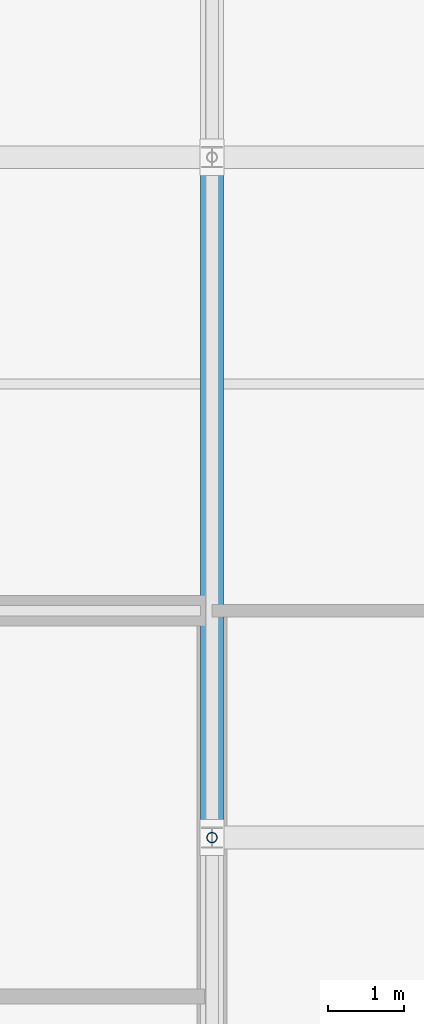
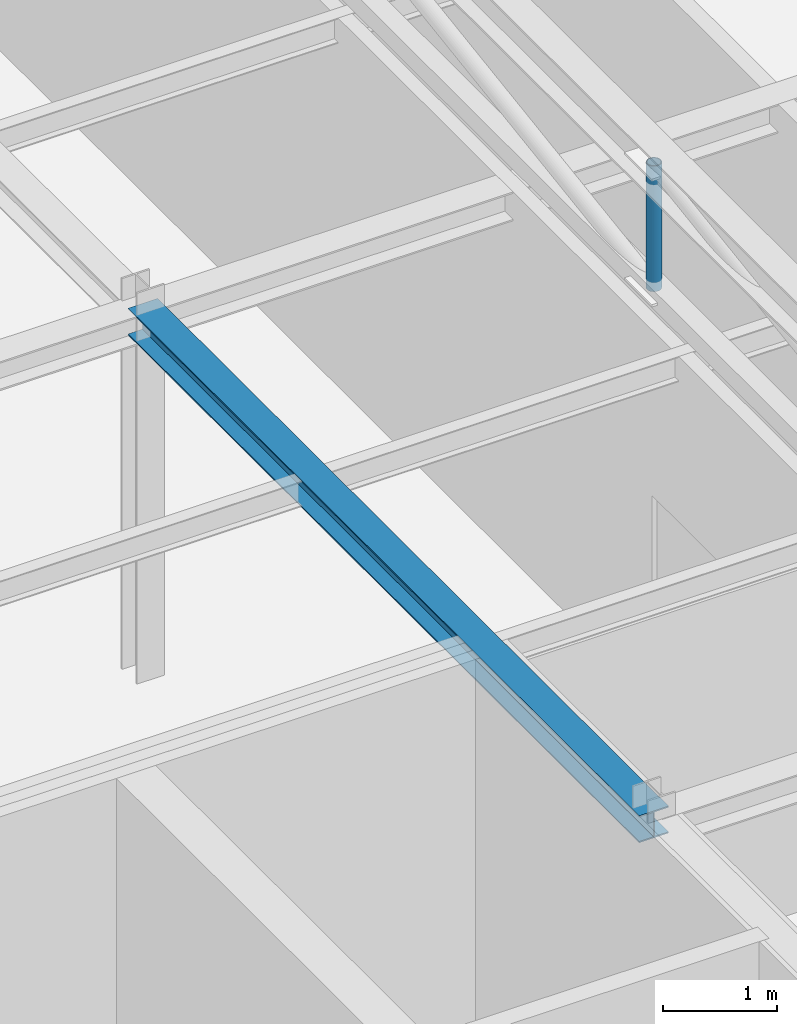
# One storey, part 65 of 130: 1 beam, 1 member.
"""IFC4 building model written with IfcOpenShell, lengths in metres."""

from ifc_helpers import new_model, si_unit, direction, frame, origin, origin_2d, place, context, subcontext, project, spatial, hollow_circle, i_section, extrude, material, material_profile, profile_set, type_object, element, save


model = new_model("IFC4")

# Units and contexts
model_context = context("Model", 3, precision=1e-05, world=origin(), true_north=direction((0.0, 1.0)))
body_context = subcontext(model_context, "Body", "Model", "MODEL_VIEW")
ifc_project = project(units=[si_unit("LENGTHUNIT", "METRE"), si_unit("AREAUNIT", "SQUARE_METRE"), si_unit("VOLUMEUNIT", "CUBIC_METRE"), si_unit("PLANEANGLEUNIT", "RADIAN"), si_unit("MASSUNIT", "GRAM", prefix="KILO")], contexts=[model_context])

# Site, building, storey
site_placement = place(None, origin())
site = spatial("IfcSite", under=ifc_project, at=site_placement, CompositionType="ELEMENT")
building_placement = place(site_placement, origin())
building = spatial("IfcBuilding", under=site, at=building_placement, Name="Lykobir Media Centre", CompositionType="ELEMENT")
storey_placement = place(building_placement, frame((0.0, 0.0, 19.199951171875)))
storey = spatial("IfcBuildingStorey", under=building, at=storey_placement, Name="L04", CompositionType="ELEMENT", Elevation=19.199951171875)

# Beam
ifc_material = material(Name="Steel S355", Category="steel")
ifc_material_profile_1 = material_profile(ifc_material, i_section(OverallWidth=0.300048828125, OverallDepth=0.2900390625, WebThickness=0.008544921875, FlangeThickness=0.013916015625, at=origin_2d()), Name="HEA 300")
ifc_profile_set_1 = profile_set([ifc_material_profile_1], Name="Steel S355")
beam_type = type_object("IfcBeamType", Name="BM-HEA300", PredefinedType="BEAM", material=ifc_profile_set_1)
beam_placement = place(storey_placement, frame((36.0, 81.0, 3.81494140625), z_axis=(0.0, 1.0, 0.0), x_axis=(-1.0, 0.0, 0.0)))
element("IfcBeam", 1, at=beam_placement, inside=storey, type_object=beam_type, Name="Beam BM-L04-0360-0810-0360-0900-2302", PredefinedType="BEAM", context=body_context, shape_type="SweptSolid", body=[
    extrude(i_section(OverallWidth=0.300048828125, OverallDepth=0.2900390625, WebThickness=0.008544921875, FlangeThickness=0.013916015625, at=origin_2d()), origin(), (0.0, 0.0, 1.0), 9.0),
])

# Member
ifc_material_profile_2 = material_profile(ifc_material, hollow_circle(Radius=0.06982421875, WallThickness=0.008056640625, at=origin_2d()), Name="CHS 139.7x8.0")
ifc_profile_set_2 = profile_set([ifc_material_profile_2], Name="Steel S355")
member_type = type_object("IfcMemberType", Name="BR-CHS140", PredefinedType="BRACE", material=ifc_profile_set_2)
member_placement = place(storey_placement, frame((36.0, 81.0, 10.93994140625), z_axis=(0.0, 0.0, -1.0), x_axis=(1.0, 0.0, 0.0)))
element("IfcMember", 2, at=member_placement, inside=storey, type_object=member_type, Name="Diagonal brace MEM2-L04-0360-0810-0301-0360-0810-0437", PredefinedType="BRACE", context=body_context, shape_type="SweptSolid", body=[
    extrude(hollow_circle(Radius=0.06982421875, WallThickness=0.008056640625, at=origin_2d()), origin(), (0.0, 0.0, 1.0), 1.349853515625),
])

save(model, "model.ifc")
